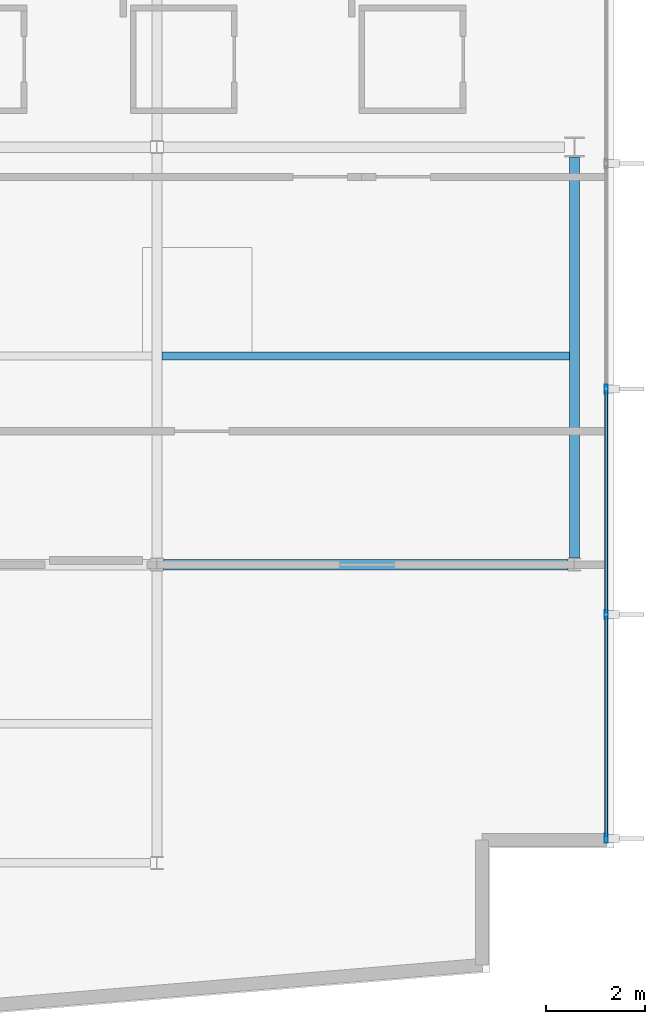
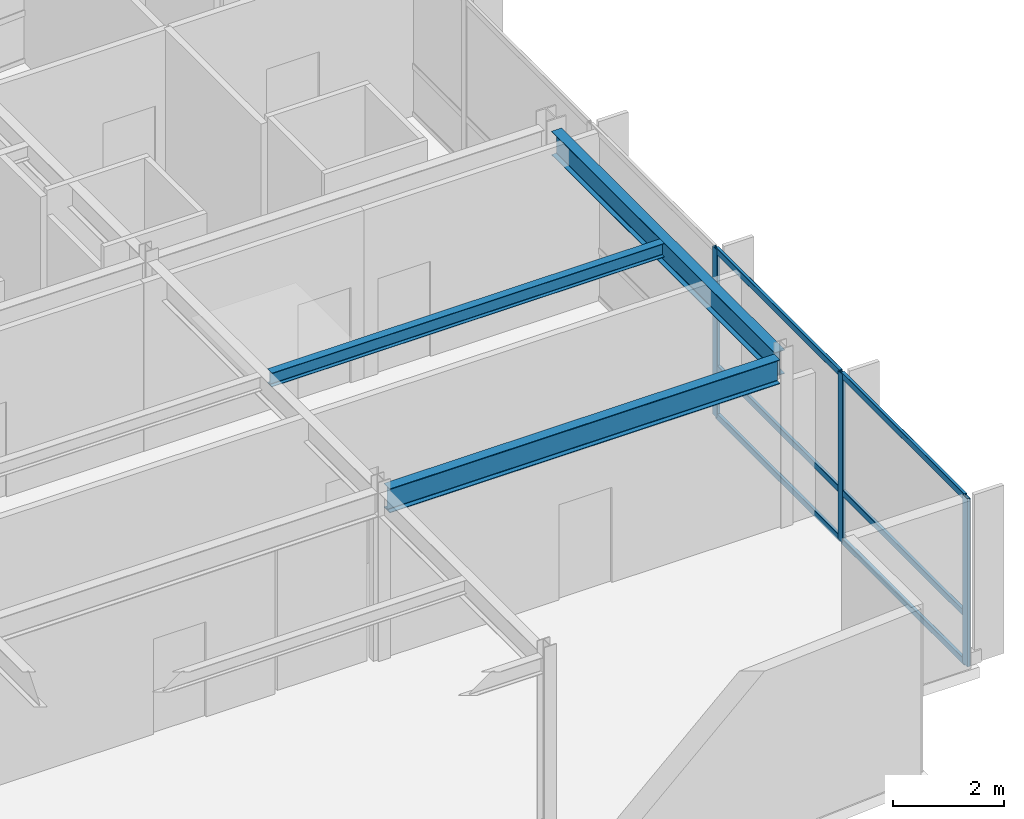
# One storey, part 5 of 16: 9 members, 3 beams, 1 element without a shape of its own.
"""IFC4 building model written with IfcOpenShell, lengths in metres."""

from ifc_helpers import new_model, si_unit, direction, frame, origin, origin_2d, place, context, subcontext, project, spatial, hollow_rectangle, i_section, extrude, material, layer, layer_set, material_profile, profile_set, type_object, element, aggregate, save


model = new_model("IFC4")

# Units and contexts
model_context = context("Model", 3, precision=1e-05, world=origin(), true_north=direction((0.0, 1.0)))
body_context = subcontext(model_context, "Body", "Model", "MODEL_VIEW")
ifc_project = project(units=[si_unit("LENGTHUNIT", "METRE"), si_unit("AREAUNIT", "SQUARE_METRE"), si_unit("VOLUMEUNIT", "CUBIC_METRE"), si_unit("PLANEANGLEUNIT", "RADIAN"), si_unit("MASSUNIT", "GRAM", prefix="KILO")], contexts=[model_context])

# Site, building, storey
site_placement = place(None, origin())
site = spatial("IfcSite", under=ifc_project, at=site_placement, CompositionType="ELEMENT")
building_placement = place(site_placement, origin())
building = spatial("IfcBuilding", under=site, at=building_placement, Name="Varnakote Quay Hospital", CompositionType="ELEMENT")
storey_placement = place(building_placement, frame((0.0, 0.0, 223.699951171875)))
storey = spatial("IfcBuildingStorey", under=building, at=storey_placement, Name="L55", CompositionType="ELEMENT", Elevation=223.699951171875)

# Beams
ifc_material_1 = material(Name="Structural steel AS/NZS 3679.1 Grade 350 L0 (fy 340 MPa)", Category="steel")
ifc_material_profile_1 = material_profile(ifc_material_1, i_section(OverallWidth=0.208984375, OverallDepth=0.528076171875, WebThickness=0.009521484375, FlangeThickness=0.01318359375, FilletRadius=0.013916015625, at=origin_2d()), Name="530UB82.0")
ifc_profile_set_1 = profile_set([ifc_material_profile_1], Name="Structural steel AS/NZS 3679.1 Grade 350 L0 (fy 340 MPa)")
beam_type_1 = type_object("IfcBeamType", Name="BM-STL-530UB82-0", PredefinedType="BEAM", material=ifc_profile_set_1)
beam_1_placement = place(storey_placement, frame((50.39990234375, 12.1298828125, 3.446044921875), z_axis=(0.0, 1.0, 0.0), x_axis=(-1.0, 0.0, 0.0)))
element("IfcBeam", 1, at=beam_1_placement, inside=storey, type_object=beam_type_1, Name="L55 Primary Tie Beam", PredefinedType="BEAM", context=body_context, shape_type="SweptSolid", body=[
    extrude(i_section(OverallWidth=0.208984375, OverallDepth=0.528076171875, WebThickness=0.009521484375, FlangeThickness=0.01318359375, FilletRadius=0.013916015625, at=origin_2d()), origin(), (0.0, 0.0, 1.0), 8.068115234375),
])
ifc_material_2 = material(Name="Structural steel AS/NZS 3679.1 Grade 350 L0 (fy 340 MPa)", Category="steel")
ifc_material_profile_2 = material_profile(ifc_material_2, i_section(OverallWidth=0.208984375, OverallDepth=0.532958984375, WebThickness=0.01025390625, FlangeThickness=0.015625, FilletRadius=0.013916015625, at=origin_2d()), Name="530UB92.4")
ifc_profile_set_2 = profile_set([ifc_material_profile_2], Name="Structural steel AS/NZS 3679.1 Grade 350 L0 (fy 340 MPa)")
beam_type_2 = type_object("IfcBeamType", Name="BM-STL-530UB92-4", PredefinedType="BEAM", material=ifc_profile_set_2)
beam_2_placement = place(storey_placement, frame((42.1279296875, 12.0, 3.443603515625), z_axis=(1.0, 0.0, 0.0), x_axis=(0.0, 1.0, 0.0)))
element("IfcBeam", 2, at=beam_2_placement, inside=storey, type_object=beam_type_2, Name="L55 Primary Floor Beam", PredefinedType="BEAM", context=body_context, shape_type="SweptSolid", body=[
    extrude(i_section(OverallWidth=0.208984375, OverallDepth=0.532958984375, WebThickness=0.01025390625, FlangeThickness=0.015625, FilletRadius=0.013916015625, at=origin_2d()), origin(), (0.0, 0.0, 1.0), 8.14404296875),
])

# Curtain wall, members
ifc_material_3 = material(Name="Anodised aluminium 6063-T6 Bronze", Category="aluminium")
ifc_layer = layer(ifc_material_3, 0.219970703125)
ifc_layer_set = layer_set([ifc_layer], Name="Anodised aluminium 6063-T6 Bronze")
curtain_wall_type = type_object("IfcCurtainWallType", Name="CW-SYS-4", PredefinedType="NOTDEFINED", material=ifc_layer_set)
curtain_wall_placement = place(storey_placement, origin())
curtain_wall = element("IfcCurtainWall", 3, at=curtain_wall_placement, inside=storey, type_object=curtain_wall_type, Name="L55 Unitised Bronze Curtain Wall 1", PredefinedType="NOTDEFINED")
ifc_material_4 = material(Name="Anodised aluminium 6063-T6 Bronze", Category="aluminium")
ifc_material_profile_3 = material_profile(ifc_material_4, hollow_rectangle(XDim=0.06494140625, YDim=0.179931640625, WallThickness=0.00390625, InnerFilletRadius=0.00390625, OuterFilletRadius=0.008056640625, at=origin_2d()), Name="CW-MULL-180x65")
ifc_profile_set_3 = profile_set([ifc_material_profile_3], Name="Anodised aluminium 6063-T6 Bronze")
member_type_1 = type_object("IfcMemberType", Name="CW-MULL-180x65", PredefinedType="MULLION", material=ifc_profile_set_3)
member_1_placement = place(storey_placement, frame((51.0400390625, 6.492431640625, 0.0), z_axis=(0.0, 0.0, 1.0), x_axis=(-1.0, 0.0, 0.0)))
member_1 = element("IfcMember", 4, at=member_1_placement, type_object=member_type_1, Name="-4-L55-1 mullion 1", PredefinedType="MULLION", context=body_context, shape_type="SweptSolid", body=[
    extrude(hollow_rectangle(XDim=0.06494140625, YDim=0.179931640625, WallThickness=0.00390625, InnerFilletRadius=0.00390625, OuterFilletRadius=0.008056640625, at=origin_2d()), origin(), (0.0, 0.0, 1.0), 3.7099609375),
])
member_2_placement = place(storey_placement, frame((51.0400390625, 10.99609375, 0.0), z_axis=(0.0, 0.0, 1.0), x_axis=(-1.0, 0.0, 0.0)))
member_2 = element("IfcMember", 5, at=member_2_placement, type_object=member_type_1, Name="-4-L55-1 mullion 2", PredefinedType="MULLION", context=body_context, shape_type="SweptSolid", body=[
    extrude(hollow_rectangle(XDim=0.06494140625, YDim=0.179931640625, WallThickness=0.00390625, InnerFilletRadius=0.00390625, OuterFilletRadius=0.008056640625, at=origin_2d()), origin(), (0.0, 0.0, 1.0), 3.7099609375),
])
member_3_placement = place(storey_placement, frame((51.0400390625, 15.531982421875, 0.0), z_axis=(0.0, 0.0, 1.0), x_axis=(-1.0, 0.0, 0.0)))
member_3 = element("IfcMember", 6, at=member_3_placement, type_object=member_type_1, Name="-4-L55-1 mullion 3", PredefinedType="MULLION", context=body_context, shape_type="SweptSolid", body=[
    extrude(hollow_rectangle(XDim=0.06494140625, YDim=0.179931640625, WallThickness=0.00390625, InnerFilletRadius=0.00390625, OuterFilletRadius=0.008056640625, at=origin_2d()), origin(), (0.0, 0.0, 1.0), 3.7099609375),
])
ifc_material_5 = material(Name="Anodised aluminium 6063-T6 Bronze", Category="aluminium")
ifc_material_profile_4 = material_profile(ifc_material_5, hollow_rectangle(XDim=0.06494140625, YDim=0.139892578125, WallThickness=0.00390625, InnerFilletRadius=0.00390625, OuterFilletRadius=0.007568359375, at=origin_2d()), Name="CW-TRAN-140x65")
ifc_profile_set_4 = profile_set([ifc_material_profile_4], Name="Anodised aluminium 6063-T6 Bronze")
member_type_2 = type_object("IfcMemberType", Name="CW-TRAN-140x65", PredefinedType="USERDEFINED", material=ifc_profile_set_4)
member_4_placement = place(storey_placement, frame((51.0400390625, 6.52490234375, 0.032470703125), z_axis=(0.0, 1.0, 0.0), x_axis=(-1.0, 0.0, 0.0)))
member_4 = element("IfcMember", 7, at=member_4_placement, type_object=member_type_2, Name="-4-L55-1 transom 1.1", ObjectType="TRANSOM", PredefinedType="USERDEFINED", context=body_context, shape_type="SweptSolid", body=[
    extrude(hollow_rectangle(XDim=0.06494140625, YDim=0.139892578125, WallThickness=0.00390625, InnerFilletRadius=0.00390625, OuterFilletRadius=0.007568359375, at=origin_2d()), origin(), (0.0, 0.0, 1.0), 4.4384765625),
])
member_5_placement = place(storey_placement, frame((51.0400390625, 6.52490234375, 1.10009765625), z_axis=(0.0, 1.0, 0.0), x_axis=(-1.0, 0.0, 0.0)))
member_5 = element("IfcMember", 8, at=member_5_placement, type_object=member_type_2, Name="-4-L55-1 transom 1.2", ObjectType="TRANSOM", PredefinedType="USERDEFINED", context=body_context, shape_type="SweptSolid", body=[
    extrude(hollow_rectangle(XDim=0.06494140625, YDim=0.139892578125, WallThickness=0.00390625, InnerFilletRadius=0.00390625, OuterFilletRadius=0.007568359375, at=origin_2d()), origin(), (0.0, 0.0, 1.0), 4.4384765625),
])
member_6_placement = place(storey_placement, frame((51.0400390625, 6.52490234375, 3.677490234375), z_axis=(0.0, 1.0, 0.0), x_axis=(-1.0, 0.0, 0.0)))
member_6 = element("IfcMember", 9, at=member_6_placement, type_object=member_type_2, Name="-4-L55-1 transom 1.3", ObjectType="TRANSOM", PredefinedType="USERDEFINED", context=body_context, shape_type="SweptSolid", body=[
    extrude(hollow_rectangle(XDim=0.06494140625, YDim=0.139892578125, WallThickness=0.00390625, InnerFilletRadius=0.00390625, OuterFilletRadius=0.007568359375, at=origin_2d()), origin(), (0.0, 0.0, 1.0), 4.4384765625),
])
member_7_placement = place(storey_placement, frame((51.0400390625, 11.028564453125, 0.032470703125), z_axis=(0.0, 1.0, 0.0), x_axis=(-1.0, 0.0, 0.0)))
member_7 = element("IfcMember", 10, at=member_7_placement, type_object=member_type_2, Name="-4-L55-1 transom 2.1", ObjectType="TRANSOM", PredefinedType="USERDEFINED", context=body_context, shape_type="SweptSolid", body=[
    extrude(hollow_rectangle(XDim=0.06494140625, YDim=0.139892578125, WallThickness=0.00390625, InnerFilletRadius=0.00390625, OuterFilletRadius=0.007568359375, at=origin_2d()), origin(), (0.0, 0.0, 1.0), 4.470947265625),
])
member_8_placement = place(storey_placement, frame((51.0400390625, 11.028564453125, 1.10009765625), z_axis=(0.0, 1.0, 0.0), x_axis=(-1.0, 0.0, 0.0)))
member_8 = element("IfcMember", 11, at=member_8_placement, type_object=member_type_2, Name="-4-L55-1 transom 2.2", ObjectType="TRANSOM", PredefinedType="USERDEFINED", context=body_context, shape_type="SweptSolid", body=[
    extrude(hollow_rectangle(XDim=0.06494140625, YDim=0.139892578125, WallThickness=0.00390625, InnerFilletRadius=0.00390625, OuterFilletRadius=0.007568359375, at=origin_2d()), origin(), (0.0, 0.0, 1.0), 4.470947265625),
])
member_9_placement = place(storey_placement, frame((51.0400390625, 11.028564453125, 3.677490234375), z_axis=(0.0, 1.0, 0.0), x_axis=(-1.0, 0.0, 0.0)))
member_9 = element("IfcMember", 12, at=member_9_placement, type_object=member_type_2, Name="-4-L55-1 transom 2.3", ObjectType="TRANSOM", PredefinedType="USERDEFINED", context=body_context, shape_type="SweptSolid", body=[
    extrude(hollow_rectangle(XDim=0.06494140625, YDim=0.139892578125, WallThickness=0.00390625, InnerFilletRadius=0.00390625, OuterFilletRadius=0.007568359375, at=origin_2d()), origin(), (0.0, 0.0, 1.0), 4.470947265625),
])
aggregate(curtain_wall, [member_1, member_2, member_3, member_4, member_5, member_6, member_7, member_8, member_9])

# Beam
ifc_material_6 = material(Name="Structural steel AS/NZS 3679.1 Grade 350 L0 (fy 340 MPa)", Category="steel")
ifc_material_profile_5 = material_profile(ifc_material_6, i_section(OverallWidth=0.1650390625, OverallDepth=0.303955078125, WebThickness=0.006103515625, FlangeThickness=0.01025390625, FilletRadius=0.011474609375, at=origin_2d()), Name="310UB40.4")
ifc_profile_set_5 = profile_set([ifc_material_profile_5], Name="Structural steel AS/NZS 3679.1 Grade 350 L0 (fy 340 MPa)")
beam_type_3 = type_object("IfcBeamType", Name="JST-STL-310UB40-4", PredefinedType="JOIST", material=ifc_profile_set_5)
beam_3_placement = place(storey_placement, frame((42.1044921875, 16.199951171875, 3.55810546875), z_axis=(1.0, 0.0, 0.0), x_axis=(0.0, 1.0, 0.0)))
element("IfcBeam", 13, at=beam_3_placement, inside=storey, type_object=beam_type_3, Name="L55 Composite Floor Joist", PredefinedType="JOIST", context=body_context, shape_type="SweptSolid", body=[
    extrude(i_section(OverallWidth=0.1650390625, OverallDepth=0.303955078125, WebThickness=0.006103515625, FlangeThickness=0.01025390625, FilletRadius=0.011474609375, at=origin_2d()), origin(), (0.0, 0.0, 1.0), 8.19091796875),
])

save(model, "model.ifc")
